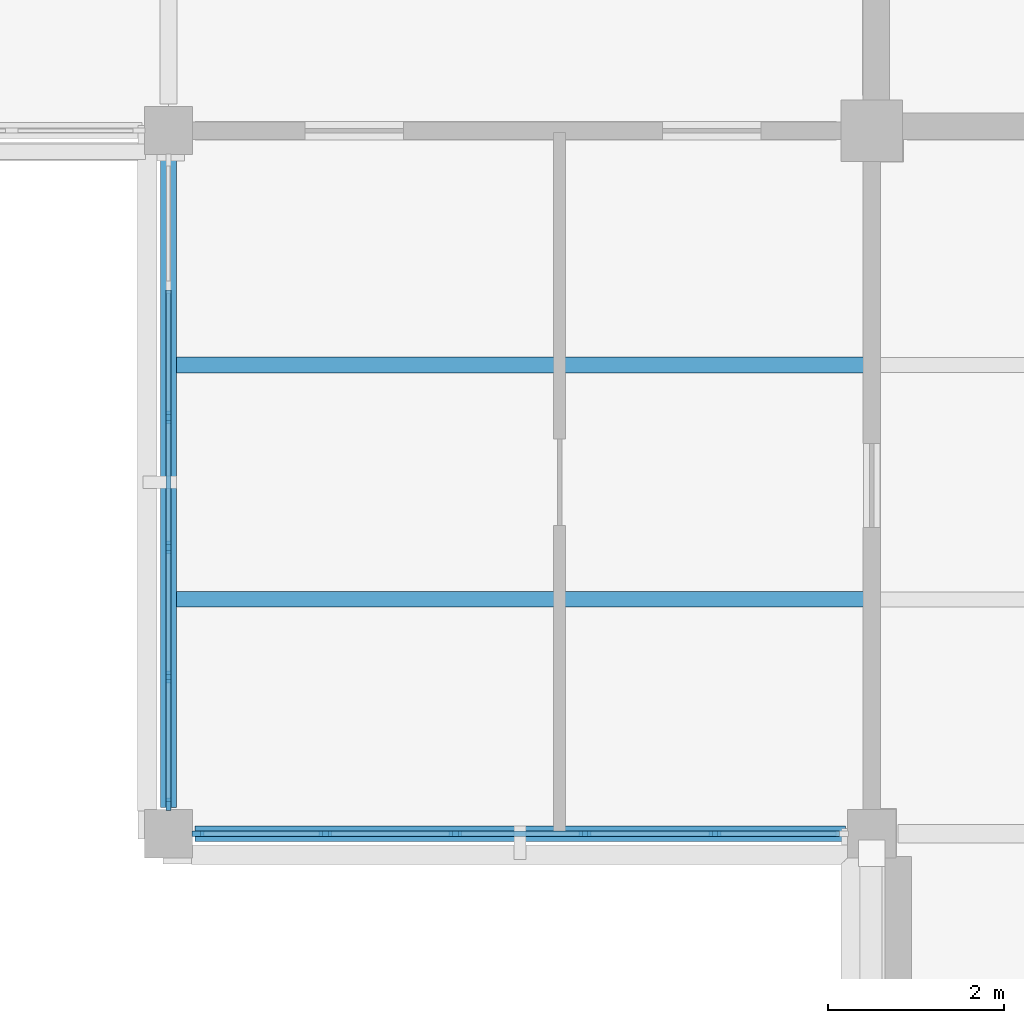
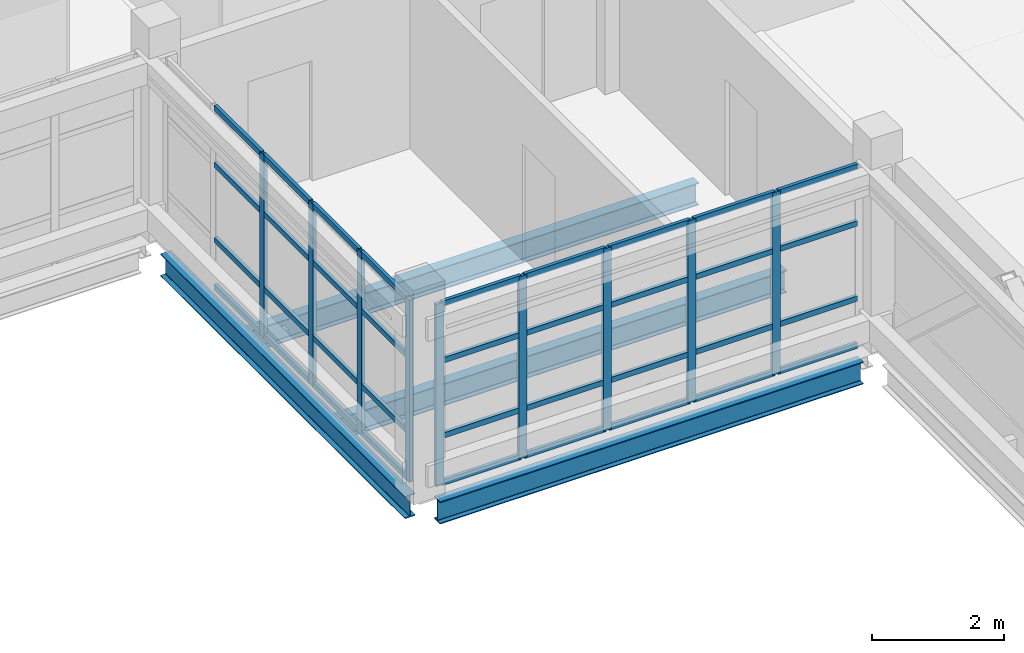
# One storey, part 13 of 107: 45 members, 4 beams, 2 elements without a shape of their own.
"""IFC4 building model written with IfcOpenShell, lengths in metres."""

from ifc_helpers import new_model, si_unit, derived_unit, direction, frame, origin, origin_2d, place, context, subcontext, project, spatial, rectangle, i_section, extrude, material, layer, layer_set, material_profile, profile_set, type_object, element, aggregate, save


model = new_model("IFC4")

# Units and contexts
model_context = context("Model", 3, precision=1e-05, world=origin(), true_north=direction((0.0, 1.0)))
body_context = subcontext(model_context, "Body", "Model", "MODEL_VIEW")
ifc_project = project(units=[si_unit("LENGTHUNIT", "METRE"), si_unit("AREAUNIT", "SQUARE_METRE"), si_unit("VOLUMEUNIT", "CUBIC_METRE"), si_unit("PLANEANGLEUNIT", "RADIAN"), si_unit("MASSUNIT", "GRAM", prefix="KILO"), derived_unit("THERMALTRANSMITTANCEUNIT", [(si_unit("MASSUNIT", "GRAM", prefix="KILO"), 1), (si_unit("TIMEUNIT", "SECOND"), -3), (si_unit("THERMODYNAMICTEMPERATUREUNIT", "KELVIN"), -1)])], contexts=[model_context])

# Site, building, storey
site_placement = place(None, origin())
site = spatial("IfcSite", under=ifc_project, at=site_placement, CompositionType="ELEMENT")
building_placement = place(site_placement, origin())
building = spatial("IfcBuilding", under=site, at=building_placement, Name="Veyamyaing Civic Hall", CompositionType="ELEMENT")
storey_placement = place(building_placement, frame((0.0, 0.0, 13.860107421875)))
storey = spatial("IfcBuildingStorey", under=building, at=storey_placement, Name="L03", CompositionType="ELEMENT", Elevation=13.860107421875)

# Beams
ifc_material_1 = material(Name="Steel ASTM A992", Category="steel")
ifc_material_profile_1 = material_profile(ifc_material_1, i_section(OverallWidth=0.179931640625, OverallDepth=0.4130859375, WebThickness=0.009765625, FlangeThickness=0.01611328125, FilletRadius=0.010009765625, at=origin_2d()), Name="W410X74")
ifc_profile_set_1 = profile_set([ifc_material_profile_1], Name="Steel ASTM A992")
beam_type_1 = type_object("IfcBeamType", Name="B-10", PredefinedType="SPANDREL", material=ifc_profile_set_1)
for number, where, z_axis, x_axis, name in (
    (1, (56.300048828125, 40.0, -0.461669921875), (1.0, 0.0, 0.0), (0.0, 1.0, 0.0), "Girder B-10 L03 Grid F 8-9"),
    (2, (56.0, 40.300048828125, -0.461669921875), (0.0, 1.0, 0.0), (-1.0, 0.0, 0.0), "Girder B-10 L03 Grid 8 F-G"),
):
    element("IfcBeam", number, at=place(storey_placement, frame(where, z_axis=z_axis, x_axis=x_axis)), inside=storey, type_object=beam_type_1, Name=name, PredefinedType="SPANDREL", context=body_context, shape_type="SweptSolid", body=[
        extrude(i_section(OverallWidth=0.179931640625, OverallDepth=0.4130859375, WebThickness=0.009765625, FlangeThickness=0.01611328125, FilletRadius=0.010009765625, at=origin_2d()), origin(), (0.0, 0.0, 1.0), 7.39990234375),
    ])

# Curtain wall, members
ifc_material_2 = material(Name="Anodised aluminium 6063-T6", Category="aluminium")
ifc_layer = layer(ifc_material_2, 0.139892578125, Name="Anodised aluminium 6063-T6")
ifc_layer_set = layer_set([ifc_layer], Name="Anodised aluminium 6063-T6")
curtain_wall_type = type_object("IfcCurtainWallType", Name="CW-04", PredefinedType="NOTDEFINED", material=ifc_layer_set)
curtain_wall_1_placement = place(storey_placement, origin())
curtain_wall_1 = element("IfcCurtainWall", 3, at=curtain_wall_1_placement, inside=storey, type_object=curtain_wall_type, Name="Unitized curtain wall CW-04 L03 S 8.6", PredefinedType="NOTDEFINED")
ifc_material_profile_2 = material_profile(ifc_material_2, rectangle(XDim=0.06005859375, YDim=0.139892578125, at=origin_2d()), Name="ALU-MUL-60X140")
ifc_profile_set_2 = profile_set([ifc_material_profile_2], Name="Anodised aluminium 6063-T6")
member_type_1 = type_object("IfcMemberType", Name="CWM-03", PredefinedType="MULLION", material=ifc_profile_set_2)
member_1_placement = place(storey_placement, frame((56.3349609375, 40.0, 0.0), z_axis=(0.0, 0.0, 1.0), x_axis=(0.0, 1.0, 0.0)))
member_1 = element("IfcMember", 4, at=member_1_placement, type_object=member_type_1, Name="CW-04 mullion 1", PredefinedType="MULLION", context=body_context, shape_type="SweptSolid", body=[
    extrude(rectangle(XDim=0.06005859375, YDim=0.139892578125, at=origin_2d()), origin(), (0.0, 0.0, 1.0), 3.366943359375),
])
member_2_placement = place(storey_placement, frame((57.782958984375, 40.0, 0.0), z_axis=(0.0, 0.0, 1.0), x_axis=(0.0, 1.0, 0.0)))
member_2 = element("IfcMember", 5, at=member_2_placement, type_object=member_type_1, Name="CW-04 mullion 2", PredefinedType="MULLION", context=body_context, shape_type="SweptSolid", body=[
    extrude(rectangle(XDim=0.06005859375, YDim=0.139892578125, at=origin_2d()), origin(), (0.0, 0.0, 1.0), 3.366943359375),
])
member_3_placement = place(storey_placement, frame((59.260986328125, 40.0, 0.0), z_axis=(0.0, 0.0, 1.0), x_axis=(0.0, 1.0, 0.0)))
member_3 = element("IfcMember", 6, at=member_3_placement, type_object=member_type_1, Name="CW-04 mullion 3", PredefinedType="MULLION", context=body_context, shape_type="SweptSolid", body=[
    extrude(rectangle(XDim=0.06005859375, YDim=0.139892578125, at=origin_2d()), origin(), (0.0, 0.0, 1.0), 3.366943359375),
])
member_4_placement = place(storey_placement, frame((60.739013671875, 40.0, 0.0), z_axis=(0.0, 0.0, 1.0), x_axis=(0.0, 1.0, 0.0)))
member_4 = element("IfcMember", 7, at=member_4_placement, type_object=member_type_1, Name="CW-04 mullion 4", PredefinedType="MULLION", context=body_context, shape_type="SweptSolid", body=[
    extrude(rectangle(XDim=0.06005859375, YDim=0.139892578125, at=origin_2d()), origin(), (0.0, 0.0, 1.0), 3.366943359375),
])
member_5_placement = place(storey_placement, frame((62.217041015625, 40.0, 0.0), z_axis=(0.0, 0.0, 1.0), x_axis=(0.0, 1.0, 0.0)))
member_5 = element("IfcMember", 8, at=member_5_placement, type_object=member_type_1, Name="CW-04 mullion 5", PredefinedType="MULLION", context=body_context, shape_type="SweptSolid", body=[
    extrude(rectangle(XDim=0.06005859375, YDim=0.139892578125, at=origin_2d()), origin(), (0.0, 0.0, 1.0), 3.366943359375),
])

curtain_wall_2_placement = place(storey_placement, origin())
curtain_wall_2 = element("IfcCurtainWall", 9, at=curtain_wall_2_placement, inside=storey, type_object=curtain_wall_type, Name="Unitized curtain wall CW-04 L03 W 8.6", PredefinedType="NOTDEFINED")
member_6_placement = place(storey_placement, frame((56.0, 40.3349609375, 0.0), z_axis=(0.0, 0.0, 1.0), x_axis=(-1.0, 0.0, 0.0)))
member_6 = element("IfcMember", 10, at=member_6_placement, type_object=member_type_1, Name="CW-04 mullion 1", PredefinedType="MULLION", context=body_context, shape_type="SweptSolid", body=[
    extrude(rectangle(XDim=0.06005859375, YDim=0.139892578125, at=origin_2d()), origin(), (0.0, 0.0, 1.0), 3.366943359375),
])
member_7_placement = place(storey_placement, frame((56.0, 41.782958984375, 0.0), z_axis=(0.0, 0.0, 1.0), x_axis=(-1.0, 0.0, 0.0)))
member_7 = element("IfcMember", 11, at=member_7_placement, type_object=member_type_1, Name="CW-04 mullion 2", PredefinedType="MULLION", context=body_context, shape_type="SweptSolid", body=[
    extrude(rectangle(XDim=0.06005859375, YDim=0.139892578125, at=origin_2d()), origin(), (0.0, 0.0, 1.0), 3.366943359375),
])
member_8_placement = place(storey_placement, frame((56.0, 43.260986328125, 0.0), z_axis=(0.0, 0.0, 1.0), x_axis=(-1.0, 0.0, 0.0)))
member_8 = element("IfcMember", 12, at=member_8_placement, type_object=member_type_1, Name="CW-04 mullion 3", PredefinedType="MULLION", context=body_context, shape_type="SweptSolid", body=[
    extrude(rectangle(XDim=0.06005859375, YDim=0.139892578125, at=origin_2d()), origin(), (0.0, 0.0, 1.0), 3.366943359375),
])
member_9_placement = place(storey_placement, frame((56.0, 44.739013671875, 0.0), z_axis=(0.0, 0.0, 1.0), x_axis=(-1.0, 0.0, 0.0)))
member_9 = element("IfcMember", 13, at=member_9_placement, type_object=member_type_1, Name="CW-04 mullion 4", PredefinedType="MULLION", context=body_context, shape_type="SweptSolid", body=[
    extrude(rectangle(XDim=0.06005859375, YDim=0.139892578125, at=origin_2d()), origin(), (0.0, 0.0, 1.0), 3.366943359375),
])

# Member
ifc_material_profile_3 = material_profile(ifc_material_2, rectangle(XDim=0.06005859375, YDim=0.10009765625, at=origin_2d()), Name="ALU-TRN-60X100")
ifc_profile_set_3 = profile_set([ifc_material_profile_3], Name="Anodised aluminium 6063-T6")
member_type_2 = type_object("IfcMemberType", Name="CWT-03", PredefinedType="USERDEFINED", material=ifc_profile_set_3)
member_10_placement = place(storey_placement, frame((56.364990234375, 40.0, 0.02978515625), z_axis=(1.0, 0.0, 0.0), x_axis=(0.0, 1.0, 0.0)))
member_10 = element("IfcMember", 14, at=member_10_placement, type_object=member_type_2, Name="CW-04 transom 1.1", ObjectType="TRANSOM", PredefinedType="USERDEFINED", context=body_context, shape_type="SweptSolid", body=[
    extrude(rectangle(XDim=0.06005859375, YDim=0.10009765625, at=origin_2d()), origin(), (0.0, 0.0, 1.0), 1.387939453125),
])

member_11_placement = place(storey_placement, frame((56.364990234375, 40.0, 0.89990234375), z_axis=(1.0, 0.0, 0.0), x_axis=(0.0, 1.0, 0.0)))
member_11 = element("IfcMember", 15, at=member_11_placement, type_object=member_type_2, Name="CW-04 transom 1.2", ObjectType="TRANSOM", PredefinedType="USERDEFINED", context=body_context, shape_type="SweptSolid", body=[
    extrude(rectangle(XDim=0.06005859375, YDim=0.10009765625, at=origin_2d()), origin(), (0.0, 0.0, 1.0), 1.387939453125),
])

member_12_placement = place(storey_placement, frame((56.364990234375, 40.0, 2.28955078125), z_axis=(1.0, 0.0, 0.0), x_axis=(0.0, 1.0, 0.0)))
member_12 = element("IfcMember", 16, at=member_12_placement, type_object=member_type_2, Name="CW-04 transom 1.3", ObjectType="TRANSOM", PredefinedType="USERDEFINED", context=body_context, shape_type="SweptSolid", body=[
    extrude(rectangle(XDim=0.06005859375, YDim=0.10009765625, at=origin_2d()), origin(), (0.0, 0.0, 1.0), 1.387939453125),
])

member_13_placement = place(storey_placement, frame((56.364990234375, 40.0, 3.3369140625), z_axis=(1.0, 0.0, 0.0), x_axis=(0.0, 1.0, 0.0)))
member_13 = element("IfcMember", 17, at=member_13_placement, type_object=member_type_2, Name="CW-04 transom 1.4", ObjectType="TRANSOM", PredefinedType="USERDEFINED", context=body_context, shape_type="SweptSolid", body=[
    extrude(rectangle(XDim=0.06005859375, YDim=0.10009765625, at=origin_2d()), origin(), (0.0, 0.0, 1.0), 1.387939453125),
])

member_14_placement = place(storey_placement, frame((57.81298828125, 40.0, 0.02978515625), z_axis=(1.0, 0.0, 0.0), x_axis=(0.0, 1.0, 0.0)))
member_14 = element("IfcMember", 18, at=member_14_placement, type_object=member_type_2, Name="CW-04 transom 2.1", ObjectType="TRANSOM", PredefinedType="USERDEFINED", context=body_context, shape_type="SweptSolid", body=[
    extrude(rectangle(XDim=0.06005859375, YDim=0.10009765625, at=origin_2d()), origin(), (0.0, 0.0, 1.0), 1.41796875),
])

member_15_placement = place(storey_placement, frame((57.81298828125, 40.0, 0.89990234375), z_axis=(1.0, 0.0, 0.0), x_axis=(0.0, 1.0, 0.0)))
member_15 = element("IfcMember", 19, at=member_15_placement, type_object=member_type_2, Name="CW-04 transom 2.2", ObjectType="TRANSOM", PredefinedType="USERDEFINED", context=body_context, shape_type="SweptSolid", body=[
    extrude(rectangle(XDim=0.06005859375, YDim=0.10009765625, at=origin_2d()), origin(), (0.0, 0.0, 1.0), 1.41796875),
])

member_16_placement = place(storey_placement, frame((57.81298828125, 40.0, 2.28955078125), z_axis=(1.0, 0.0, 0.0), x_axis=(0.0, 1.0, 0.0)))
member_16 = element("IfcMember", 20, at=member_16_placement, type_object=member_type_2, Name="CW-04 transom 2.3", ObjectType="TRANSOM", PredefinedType="USERDEFINED", context=body_context, shape_type="SweptSolid", body=[
    extrude(rectangle(XDim=0.06005859375, YDim=0.10009765625, at=origin_2d()), origin(), (0.0, 0.0, 1.0), 1.41796875),
])

member_17_placement = place(storey_placement, frame((57.81298828125, 40.0, 3.3369140625), z_axis=(1.0, 0.0, 0.0), x_axis=(0.0, 1.0, 0.0)))
member_17 = element("IfcMember", 21, at=member_17_placement, type_object=member_type_2, Name="CW-04 transom 2.4", ObjectType="TRANSOM", PredefinedType="USERDEFINED", context=body_context, shape_type="SweptSolid", body=[
    extrude(rectangle(XDim=0.06005859375, YDim=0.10009765625, at=origin_2d()), origin(), (0.0, 0.0, 1.0), 1.41796875),
])

member_18_placement = place(storey_placement, frame((59.291015625, 40.0, 0.02978515625), z_axis=(1.0, 0.0, 0.0), x_axis=(0.0, 1.0, 0.0)))
member_18 = element("IfcMember", 22, at=member_18_placement, type_object=member_type_2, Name="CW-04 transom 3.1", ObjectType="TRANSOM", PredefinedType="USERDEFINED", context=body_context, shape_type="SweptSolid", body=[
    extrude(rectangle(XDim=0.06005859375, YDim=0.10009765625, at=origin_2d()), origin(), (0.0, 0.0, 1.0), 1.41796875),
])

member_19_placement = place(storey_placement, frame((59.291015625, 40.0, 0.89990234375), z_axis=(1.0, 0.0, 0.0), x_axis=(0.0, 1.0, 0.0)))
member_19 = element("IfcMember", 23, at=member_19_placement, type_object=member_type_2, Name="CW-04 transom 3.2", ObjectType="TRANSOM", PredefinedType="USERDEFINED", context=body_context, shape_type="SweptSolid", body=[
    extrude(rectangle(XDim=0.06005859375, YDim=0.10009765625, at=origin_2d()), origin(), (0.0, 0.0, 1.0), 1.41796875),
])

member_20_placement = place(storey_placement, frame((59.291015625, 40.0, 2.28955078125), z_axis=(1.0, 0.0, 0.0), x_axis=(0.0, 1.0, 0.0)))
member_20 = element("IfcMember", 24, at=member_20_placement, type_object=member_type_2, Name="CW-04 transom 3.3", ObjectType="TRANSOM", PredefinedType="USERDEFINED", context=body_context, shape_type="SweptSolid", body=[
    extrude(rectangle(XDim=0.06005859375, YDim=0.10009765625, at=origin_2d()), origin(), (0.0, 0.0, 1.0), 1.41796875),
])

member_21_placement = place(storey_placement, frame((59.291015625, 40.0, 3.3369140625), z_axis=(1.0, 0.0, 0.0), x_axis=(0.0, 1.0, 0.0)))
member_21 = element("IfcMember", 25, at=member_21_placement, type_object=member_type_2, Name="CW-04 transom 3.4", ObjectType="TRANSOM", PredefinedType="USERDEFINED", context=body_context, shape_type="SweptSolid", body=[
    extrude(rectangle(XDim=0.06005859375, YDim=0.10009765625, at=origin_2d()), origin(), (0.0, 0.0, 1.0), 1.41796875),
])

member_22_placement = place(storey_placement, frame((60.76904296875, 40.0, 0.02978515625), z_axis=(1.0, 0.0, 0.0), x_axis=(0.0, 1.0, 0.0)))
member_22 = element("IfcMember", 26, at=member_22_placement, type_object=member_type_2, Name="CW-04 transom 4.1", ObjectType="TRANSOM", PredefinedType="USERDEFINED", context=body_context, shape_type="SweptSolid", body=[
    extrude(rectangle(XDim=0.06005859375, YDim=0.10009765625, at=origin_2d()), origin(), (0.0, 0.0, 1.0), 1.41796875),
])

member_23_placement = place(storey_placement, frame((60.76904296875, 40.0, 0.89990234375), z_axis=(1.0, 0.0, 0.0), x_axis=(0.0, 1.0, 0.0)))
member_23 = element("IfcMember", 27, at=member_23_placement, type_object=member_type_2, Name="CW-04 transom 4.2", ObjectType="TRANSOM", PredefinedType="USERDEFINED", context=body_context, shape_type="SweptSolid", body=[
    extrude(rectangle(XDim=0.06005859375, YDim=0.10009765625, at=origin_2d()), origin(), (0.0, 0.0, 1.0), 1.41796875),
])

member_24_placement = place(storey_placement, frame((60.76904296875, 40.0, 2.28955078125), z_axis=(1.0, 0.0, 0.0), x_axis=(0.0, 1.0, 0.0)))
member_24 = element("IfcMember", 28, at=member_24_placement, type_object=member_type_2, Name="CW-04 transom 4.3", ObjectType="TRANSOM", PredefinedType="USERDEFINED", context=body_context, shape_type="SweptSolid", body=[
    extrude(rectangle(XDim=0.06005859375, YDim=0.10009765625, at=origin_2d()), origin(), (0.0, 0.0, 1.0), 1.41796875),
])

member_25_placement = place(storey_placement, frame((60.76904296875, 40.0, 3.3369140625), z_axis=(1.0, 0.0, 0.0), x_axis=(0.0, 1.0, 0.0)))
member_25 = element("IfcMember", 29, at=member_25_placement, type_object=member_type_2, Name="CW-04 transom 4.4", ObjectType="TRANSOM", PredefinedType="USERDEFINED", context=body_context, shape_type="SweptSolid", body=[
    extrude(rectangle(XDim=0.06005859375, YDim=0.10009765625, at=origin_2d()), origin(), (0.0, 0.0, 1.0), 1.41796875),
])

member_26_placement = place(storey_placement, frame((62.2470703125, 40.0, 0.02978515625), z_axis=(1.0, 0.0, 0.0), x_axis=(0.0, 1.0, 0.0)))
member_26 = element("IfcMember", 30, at=member_26_placement, type_object=member_type_2, Name="CW-04 transom 5.1", ObjectType="TRANSOM", PredefinedType="USERDEFINED", context=body_context, shape_type="SweptSolid", body=[
    extrude(rectangle(XDim=0.06005859375, YDim=0.10009765625, at=origin_2d()), origin(), (0.0, 0.0, 1.0), 1.387939453125),
])

member_27_placement = place(storey_placement, frame((62.2470703125, 40.0, 0.89990234375), z_axis=(1.0, 0.0, 0.0), x_axis=(0.0, 1.0, 0.0)))
member_27 = element("IfcMember", 31, at=member_27_placement, type_object=member_type_2, Name="CW-04 transom 5.2", ObjectType="TRANSOM", PredefinedType="USERDEFINED", context=body_context, shape_type="SweptSolid", body=[
    extrude(rectangle(XDim=0.06005859375, YDim=0.10009765625, at=origin_2d()), origin(), (0.0, 0.0, 1.0), 1.387939453125),
])

member_28_placement = place(storey_placement, frame((62.2470703125, 40.0, 2.28955078125), z_axis=(1.0, 0.0, 0.0), x_axis=(0.0, 1.0, 0.0)))
member_28 = element("IfcMember", 32, at=member_28_placement, type_object=member_type_2, Name="CW-04 transom 5.3", ObjectType="TRANSOM", PredefinedType="USERDEFINED", context=body_context, shape_type="SweptSolid", body=[
    extrude(rectangle(XDim=0.06005859375, YDim=0.10009765625, at=origin_2d()), origin(), (0.0, 0.0, 1.0), 1.387939453125),
])

member_29_placement = place(storey_placement, frame((62.2470703125, 40.0, 3.3369140625), z_axis=(1.0, 0.0, 0.0), x_axis=(0.0, 1.0, 0.0)))
member_29 = element("IfcMember", 33, at=member_29_placement, type_object=member_type_2, Name="CW-04 transom 5.4", ObjectType="TRANSOM", PredefinedType="USERDEFINED", context=body_context, shape_type="SweptSolid", body=[
    extrude(rectangle(XDim=0.06005859375, YDim=0.10009765625, at=origin_2d()), origin(), (0.0, 0.0, 1.0), 1.387939453125),
])

aggregate(curtain_wall_1, [member_1, member_2, member_3, member_4, member_5, member_10, member_11, member_12, member_13, member_14, member_15, member_16, member_17, member_18, member_19, member_20, member_21, member_22, member_23, member_24, member_25, member_26, member_27, member_28, member_29])

member_30_placement = place(storey_placement, frame((56.0, 40.364990234375, 0.02978515625), z_axis=(0.0, 1.0, 0.0), x_axis=(-1.0, 0.0, 0.0)))
member_30 = element("IfcMember", 34, at=member_30_placement, type_object=member_type_2, Name="CW-04 transom 1.1", ObjectType="TRANSOM", PredefinedType="USERDEFINED", context=body_context, shape_type="SweptSolid", body=[
    extrude(rectangle(XDim=0.06005859375, YDim=0.10009765625, at=origin_2d()), origin(), (0.0, 0.0, 1.0), 1.387939453125),
])

member_31_placement = place(storey_placement, frame((56.0, 40.364990234375, 0.89990234375), z_axis=(0.0, 1.0, 0.0), x_axis=(-1.0, 0.0, 0.0)))
member_31 = element("IfcMember", 35, at=member_31_placement, type_object=member_type_2, Name="CW-04 transom 1.2", ObjectType="TRANSOM", PredefinedType="USERDEFINED", context=body_context, shape_type="SweptSolid", body=[
    extrude(rectangle(XDim=0.06005859375, YDim=0.10009765625, at=origin_2d()), origin(), (0.0, 0.0, 1.0), 1.387939453125),
])

member_32_placement = place(storey_placement, frame((56.0, 40.364990234375, 2.28955078125), z_axis=(0.0, 1.0, 0.0), x_axis=(-1.0, 0.0, 0.0)))
member_32 = element("IfcMember", 36, at=member_32_placement, type_object=member_type_2, Name="CW-04 transom 1.3", ObjectType="TRANSOM", PredefinedType="USERDEFINED", context=body_context, shape_type="SweptSolid", body=[
    extrude(rectangle(XDim=0.06005859375, YDim=0.10009765625, at=origin_2d()), origin(), (0.0, 0.0, 1.0), 1.387939453125),
])

member_33_placement = place(storey_placement, frame((56.0, 40.364990234375, 3.3369140625), z_axis=(0.0, 1.0, 0.0), x_axis=(-1.0, 0.0, 0.0)))
member_33 = element("IfcMember", 37, at=member_33_placement, type_object=member_type_2, Name="CW-04 transom 1.4", ObjectType="TRANSOM", PredefinedType="USERDEFINED", context=body_context, shape_type="SweptSolid", body=[
    extrude(rectangle(XDim=0.06005859375, YDim=0.10009765625, at=origin_2d()), origin(), (0.0, 0.0, 1.0), 1.387939453125),
])

member_34_placement = place(storey_placement, frame((56.0, 41.81298828125, 0.02978515625), z_axis=(0.0, 1.0, 0.0), x_axis=(-1.0, 0.0, 0.0)))
member_34 = element("IfcMember", 38, at=member_34_placement, type_object=member_type_2, Name="CW-04 transom 2.1", ObjectType="TRANSOM", PredefinedType="USERDEFINED", context=body_context, shape_type="SweptSolid", body=[
    extrude(rectangle(XDim=0.06005859375, YDim=0.10009765625, at=origin_2d()), origin(), (0.0, 0.0, 1.0), 1.41796875),
])

member_35_placement = place(storey_placement, frame((56.0, 41.81298828125, 0.89990234375), z_axis=(0.0, 1.0, 0.0), x_axis=(-1.0, 0.0, 0.0)))
member_35 = element("IfcMember", 39, at=member_35_placement, type_object=member_type_2, Name="CW-04 transom 2.2", ObjectType="TRANSOM", PredefinedType="USERDEFINED", context=body_context, shape_type="SweptSolid", body=[
    extrude(rectangle(XDim=0.06005859375, YDim=0.10009765625, at=origin_2d()), origin(), (0.0, 0.0, 1.0), 1.41796875),
])

member_36_placement = place(storey_placement, frame((56.0, 41.81298828125, 2.28955078125), z_axis=(0.0, 1.0, 0.0), x_axis=(-1.0, 0.0, 0.0)))
member_36 = element("IfcMember", 40, at=member_36_placement, type_object=member_type_2, Name="CW-04 transom 2.3", ObjectType="TRANSOM", PredefinedType="USERDEFINED", context=body_context, shape_type="SweptSolid", body=[
    extrude(rectangle(XDim=0.06005859375, YDim=0.10009765625, at=origin_2d()), origin(), (0.0, 0.0, 1.0), 1.41796875),
])

member_37_placement = place(storey_placement, frame((56.0, 41.81298828125, 3.3369140625), z_axis=(0.0, 1.0, 0.0), x_axis=(-1.0, 0.0, 0.0)))
member_37 = element("IfcMember", 41, at=member_37_placement, type_object=member_type_2, Name="CW-04 transom 2.4", ObjectType="TRANSOM", PredefinedType="USERDEFINED", context=body_context, shape_type="SweptSolid", body=[
    extrude(rectangle(XDim=0.06005859375, YDim=0.10009765625, at=origin_2d()), origin(), (0.0, 0.0, 1.0), 1.41796875),
])

member_38_placement = place(storey_placement, frame((56.0, 43.291015625, 0.02978515625), z_axis=(0.0, 1.0, 0.0), x_axis=(-1.0, 0.0, 0.0)))
member_38 = element("IfcMember", 42, at=member_38_placement, type_object=member_type_2, Name="CW-04 transom 3.1", ObjectType="TRANSOM", PredefinedType="USERDEFINED", context=body_context, shape_type="SweptSolid", body=[
    extrude(rectangle(XDim=0.06005859375, YDim=0.10009765625, at=origin_2d()), origin(), (0.0, 0.0, 1.0), 1.41796875),
])

member_39_placement = place(storey_placement, frame((56.0, 43.291015625, 0.89990234375), z_axis=(0.0, 1.0, 0.0), x_axis=(-1.0, 0.0, 0.0)))
member_39 = element("IfcMember", 43, at=member_39_placement, type_object=member_type_2, Name="CW-04 transom 3.2", ObjectType="TRANSOM", PredefinedType="USERDEFINED", context=body_context, shape_type="SweptSolid", body=[
    extrude(rectangle(XDim=0.06005859375, YDim=0.10009765625, at=origin_2d()), origin(), (0.0, 0.0, 1.0), 1.41796875),
])

member_40_placement = place(storey_placement, frame((56.0, 43.291015625, 2.28955078125), z_axis=(0.0, 1.0, 0.0), x_axis=(-1.0, 0.0, 0.0)))
member_40 = element("IfcMember", 44, at=member_40_placement, type_object=member_type_2, Name="CW-04 transom 3.3", ObjectType="TRANSOM", PredefinedType="USERDEFINED", context=body_context, shape_type="SweptSolid", body=[
    extrude(rectangle(XDim=0.06005859375, YDim=0.10009765625, at=origin_2d()), origin(), (0.0, 0.0, 1.0), 1.41796875),
])

member_41_placement = place(storey_placement, frame((56.0, 43.291015625, 3.3369140625), z_axis=(0.0, 1.0, 0.0), x_axis=(-1.0, 0.0, 0.0)))
member_41 = element("IfcMember", 45, at=member_41_placement, type_object=member_type_2, Name="CW-04 transom 3.4", ObjectType="TRANSOM", PredefinedType="USERDEFINED", context=body_context, shape_type="SweptSolid", body=[
    extrude(rectangle(XDim=0.06005859375, YDim=0.10009765625, at=origin_2d()), origin(), (0.0, 0.0, 1.0), 1.41796875),
])

member_42_placement = place(storey_placement, frame((56.0, 44.76904296875, 0.02978515625), z_axis=(0.0, 1.0, 0.0), x_axis=(-1.0, 0.0, 0.0)))
member_42 = element("IfcMember", 46, at=member_42_placement, type_object=member_type_2, Name="CW-04 transom 4.1", ObjectType="TRANSOM", PredefinedType="USERDEFINED", context=body_context, shape_type="SweptSolid", body=[
    extrude(rectangle(XDim=0.06005859375, YDim=0.10009765625, at=origin_2d()), origin(), (0.0, 0.0, 1.0), 1.41796875),
])

member_43_placement = place(storey_placement, frame((56.0, 44.76904296875, 0.89990234375), z_axis=(0.0, 1.0, 0.0), x_axis=(-1.0, 0.0, 0.0)))
member_43 = element("IfcMember", 47, at=member_43_placement, type_object=member_type_2, Name="CW-04 transom 4.2", ObjectType="TRANSOM", PredefinedType="USERDEFINED", context=body_context, shape_type="SweptSolid", body=[
    extrude(rectangle(XDim=0.06005859375, YDim=0.10009765625, at=origin_2d()), origin(), (0.0, 0.0, 1.0), 1.41796875),
])

member_44_placement = place(storey_placement, frame((56.0, 44.76904296875, 2.28955078125), z_axis=(0.0, 1.0, 0.0), x_axis=(-1.0, 0.0, 0.0)))
member_44 = element("IfcMember", 48, at=member_44_placement, type_object=member_type_2, Name="CW-04 transom 4.3", ObjectType="TRANSOM", PredefinedType="USERDEFINED", context=body_context, shape_type="SweptSolid", body=[
    extrude(rectangle(XDim=0.06005859375, YDim=0.10009765625, at=origin_2d()), origin(), (0.0, 0.0, 1.0), 1.41796875),
])

member_45_placement = place(storey_placement, frame((56.0, 44.76904296875, 3.3369140625), z_axis=(0.0, 1.0, 0.0), x_axis=(-1.0, 0.0, 0.0)))
member_45 = element("IfcMember", 49, at=member_45_placement, type_object=member_type_2, Name="CW-04 transom 4.4", ObjectType="TRANSOM", PredefinedType="USERDEFINED", context=body_context, shape_type="SweptSolid", body=[
    extrude(rectangle(XDim=0.06005859375, YDim=0.10009765625, at=origin_2d()), origin(), (0.0, 0.0, 1.0), 1.41796875),
])

aggregate(curtain_wall_2, [member_6, member_7, member_8, member_9, member_30, member_31, member_32, member_33, member_34, member_35, member_36, member_37, member_38, member_39, member_40, member_41, member_42, member_43, member_44, member_45])

# Beams
ifc_material_profile_4 = material_profile(ifc_material_1, i_section(OverallWidth=0.177978515625, OverallDepth=0.406982421875, WebThickness=0.0078125, FlangeThickness=0.0126953125, FilletRadius=0.010009765625, at=origin_2d()), Name="W410X60")
ifc_profile_set_4 = profile_set([ifc_material_profile_4], Name="Steel ASTM A992")
beam_type_2 = type_object("IfcBeamType", Name="J-01", PredefinedType="JOIST", material=ifc_profile_set_4)
for number, where, z_axis, x_axis, name in (
    (50, (56.087890625, 42.666748046875, -0.45849609375), (1.0, 0.0, 0.0), (0.0, 1.0, 0.0), "Composite floor joist J-01 L03 8.6.1"),
    (51, (56.087890625, 45.333251953125, -0.45849609375), (1.0, 0.0, 0.0), (0.0, 1.0, 0.0), "Composite floor joist J-01 L03 8.6.2"),
):
    element("IfcBeam", number, at=place(storey_placement, frame(where, z_axis=z_axis, x_axis=x_axis)), inside=storey, type_object=beam_type_2, Name=name, PredefinedType="JOIST", context=body_context, shape_type="SweptSolid", body=[
        extrude(i_section(OverallWidth=0.177978515625, OverallDepth=0.406982421875, WebThickness=0.0078125, FlangeThickness=0.0126953125, FilletRadius=0.010009765625, at=origin_2d()), origin(), (0.0, 0.0, 1.0), 7.818115234375),
    ])

save(model, "model.ifc")
